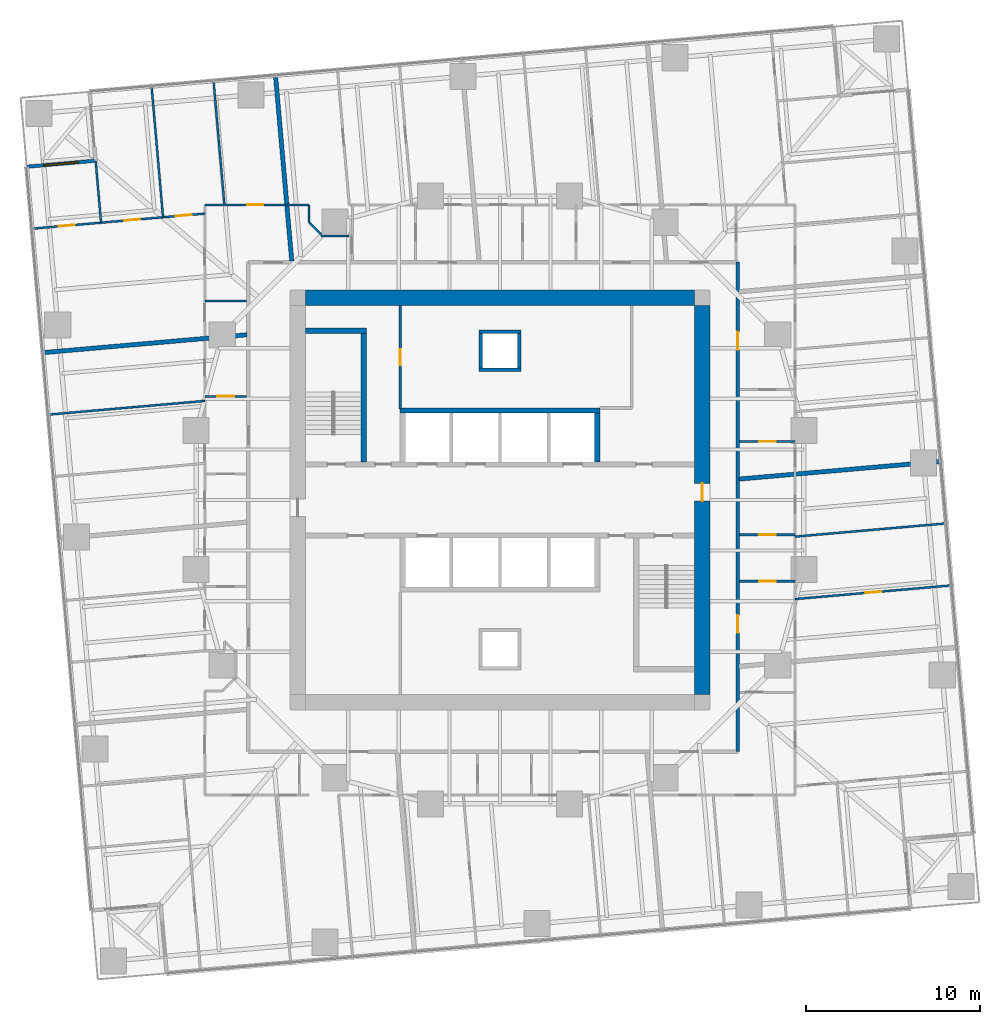
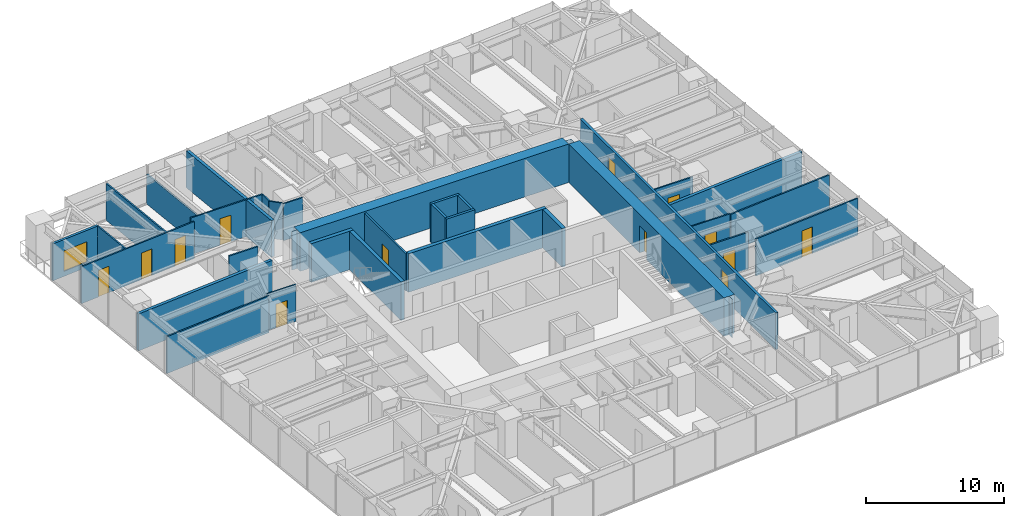
# One storey, part 11 of 14: 32 walls, 13 doors, 1 window, 14 openings.
"""IFC4 building model written with IfcOpenShell, lengths in metres."""

from ifc_helpers import new_model, si_unit, direction, frame, frame_2d, origin, place, context, subcontext, project, spatial, polyline, rectangle, outline, extrude, material, layer, layer_set, type_object, element, fill, save


model = new_model("IFC4")

# Units and contexts
model_context = context("Model", 3, precision=1e-05, world=origin(), true_north=direction((0.0, 1.0)))
body_context = subcontext(model_context, "Body", "Model", "MODEL_VIEW")
ifc_project = project(units=[si_unit("LENGTHUNIT", "METRE"), si_unit("AREAUNIT", "SQUARE_METRE"), si_unit("VOLUMEUNIT", "CUBIC_METRE"), si_unit("PLANEANGLEUNIT", "RADIAN"), si_unit("MASSUNIT", "GRAM", prefix="KILO")], contexts=[model_context])

# Site, building, storey
site_placement = place(None, origin())
site = spatial("IfcSite", under=ifc_project, at=site_placement, CompositionType="ELEMENT")
building_placement = place(site_placement, origin())
building = spatial("IfcBuilding", under=site, at=building_placement, Name="Torsade Residences", CompositionType="ELEMENT")
storey_placement = place(building_placement, frame((0.0, 0.0, 50.60009765625)))
storey = spatial("IfcBuildingStorey", under=building, at=storey_placement, Name="L13", CompositionType="ELEMENT", Elevation=50.60009765625)

# Walls
ifc_material_1 = material(Name="Concrete 80 MPa", Category="concrete")
ifc_layer_1 = layer(ifc_material_1, 0.300048828125)
ifc_layer_set_1 = layer_set([ifc_layer_1], Name="Concrete 80 MPa")
wall_type_1 = type_object("IfcWallType", Name="CORE INTERNAL WALL 300", PredefinedType="SHEAR", material=ifc_layer_set_1)
wall_1_placement = place(storey_placement, frame((34.25, 35.14990234375, 0.0), z_axis=(0.0, 0.0, 1.0), x_axis=(1.0, 0.0, 0.0)))
element("IfcWall", 1, at=wall_1_placement, inside=storey, type_object=wall_type_1, Name="Core wall BN L13", PredefinedType="SHEAR", context=body_context, shape_type="SweptSolid", body=[
    extrude(rectangle(XDim=11.5, YDim=0.300048828125, at=frame_2d((5.75, 0.0))), origin(), (0.0, 0.0, 1.0), 3.39990234375),
])
wall_2_placement = place(storey_placement, frame((45.60009765625, 32.199951171875, 0.0), z_axis=(0.0, 0.0, 1.0), x_axis=(0.0, 1.0, 0.0)))
element("IfcWall", 2, at=wall_2_placement, inside=storey, type_object=wall_type_1, Name="Core wall DN4 L13", PredefinedType="SHEAR", context=body_context, shape_type="SweptSolid", body=[
    extrude(rectangle(XDim=2.800048828125, YDim=0.300048828125, at=frame_2d((1.39990234375, 0.0))), origin(), (0.0, 0.0, 1.0), 3.39990234375),
])
wall_3_placement = place(storey_placement, frame((32.14990234375, 32.199951171875, 0.0), z_axis=(0.0, 0.0, 1.0), x_axis=(0.0, 1.0, 0.0)))
element("IfcWall", 3, at=wall_3_placement, inside=storey, type_object=wall_type_1, Name="Core wall ST1E L13", PredefinedType="SHEAR", context=body_context, shape_type="SweptSolid", body=[
    extrude(rectangle(XDim=7.699951171875, YDim=0.300048828125, at=frame_2d((3.85009765625, 0.0))), origin(), (0.0, 0.0, 1.0), 3.39990234375),
])
wall_4_placement = place(storey_placement, frame((28.800048828125, 39.75, 0.0), z_axis=(0.0, 0.0, 1.0), x_axis=(1.0, 0.0, 0.0)))
element("IfcWall", 4, at=wall_4_placement, inside=storey, type_object=wall_type_1, Name="Core wall ST1N L13", PredefinedType="SHEAR", context=body_context, shape_type="SweptSolid", body=[
    extrude(rectangle(XDim=3.5, YDim=0.300048828125, at=frame_2d((1.75, 0.0))), origin(), (0.0, 0.0, 1.0), 3.39990234375),
])
ifc_material_2 = material(Name="Concrete 80 MPa", Category="concrete")
ifc_layer_2 = layer(ifc_material_2, 0.89990234375)
ifc_layer_set_2 = layer_set([ifc_layer_2], Name="Concrete 80 MPa")
wall_type_2 = type_object("IfcWallType", Name="CORE WALL 900", PredefinedType="SHEAR", material=ifc_layer_set_2)
wall_5_placement = place(storey_placement, frame((28.800048828125, 41.64990234375, 0.0), z_axis=(0.0, 0.0, 1.0), x_axis=(1.0, 0.0, 0.0)))
element("IfcWall", 5, at=wall_5_placement, inside=storey, type_object=wall_type_2, Name="Core wall N L13", PredefinedType="SHEAR", context=body_context, shape_type="SweptSolid", body=[
    extrude(outline(polyline([(0.0, -0.449951171875), (22.39990234375, -0.449951171875), (22.39990234375, -0.02490234375), (22.849853515625, -0.02490234375), (22.849853515625, 0.02490234375), (22.39990234375, 0.02490234375), (22.39990234375, 0.449951171875), (0.0, 0.449951171875), (0.0, 0.02490234375), (-0.449951171875, 0.02490234375), (-0.449951171875, -0.02490234375), (0.0, -0.02490234375), (0.0, -0.449951171875)])), origin(), (0.0, 0.0, 1.0), 3.39990234375),
])

# Wall, opening, door
wall_6_placement = place(storey_placement, frame((51.64990234375, 18.800048828125, 0.0), z_axis=(0.0, 0.0, 1.0), x_axis=(0.0, 1.0, 0.0)))
wall_6 = element("IfcWall", 6, at=wall_6_placement, inside=storey, type_object=wall_type_2, Name="Core wall E L13", PredefinedType="SHEAR", context=body_context, shape_type="SweptSolid", body=[
    extrude(outline(polyline([(0.0, -0.449951171875), (22.39990234375, -0.449951171875), (22.39990234375, -0.02490234375), (22.849853515625, -0.02490234375), (22.849853515625, 0.02490234375), (22.39990234375, 0.02490234375), (22.39990234375, 0.449951171875), (0.0, 0.449951171875), (0.0, 0.02490234375), (-0.449951171875, 0.02490234375), (-0.449951171875, -0.02490234375), (0.0, -0.02490234375), (0.0, -0.449951171875)])), origin(), (0.0, 0.0, 1.0), 3.39990234375),
])
opening_1_placement = place(wall_6_placement, frame((11.139892578125, 0.0, 0.0)))
opening_1 = element("IfcOpeningElement", 7, at=opening_1_placement, cuts=wall_6, Name="Opening D04", PredefinedType="OPENING", context=body_context, shape_type="SweptSolid", body=[
    extrude(rectangle(XDim=1.02001953125, YDim=2.39990234375, at=frame_2d((0.510009765625, 1.199951171875))), frame((0.0, 0.4599609375, 0.0), z_axis=(0.0, -1.0, 0.0), x_axis=(1.0, 0.0, 0.0)), (0.0, 0.0, 1.0), 0.919921875),
])
ifc_material_3 = material(Name="Steel-framed fire door", Category="steel")
door_type_1 = type_object("IfcDoorType", Name="LOBBY SMOKE DOOR 1020x2400", OperationType="NOTDEFINED", PredefinedType="DOOR", material=ifc_material_3)
door_1_placement = place(opening_1_placement, origin())
door_1 = element("IfcDoor", 8, at=door_1_placement, inside=storey, type_object=door_type_1, Name="Lift lobby door E L13", OperationType="SINGLE_SWING_LEFT", OverallHeight=2.39990234375, OverallWidth=1.02001953125, PredefinedType="DOOR", context=body_context, shape_type="SweptSolid", body=[
    extrude(rectangle(XDim=1.02001953125, YDim=2.39990234375, at=frame_2d((0.510009765625, 1.199951171875))), frame((0.0, 0.02490234375, 0.0), z_axis=(0.0, -1.0, 0.0), x_axis=(1.0, 0.0, 0.0)), (0.0, 0.0, 1.0), 0.050048828125),
])
fill(opening_1, door_1)

# Wall, openings, doors
ifc_material_4 = material(Name="Plasterboard on steel stud", Category="steel")
ifc_layer_3 = layer(ifc_material_4, 0.199951171875)
ifc_layer_set_3 = layer_set([ifc_layer_3], Name="Plasterboard on steel stud")
wall_type_3 = type_object("IfcWallType", Name="CORRIDOR WALL 200", PredefinedType="PARTITIONING", material=ifc_layer_set_3)
wall_7_placement = place(storey_placement, frame((53.699951171875, 15.5, 0.0), z_axis=(0.0, 0.0, 1.0), x_axis=(0.0, 1.0, 0.0)))
wall_7 = element("IfcWall", 9, at=wall_7_placement, inside=storey, type_object=wall_type_3, Name="Corridor wall L13", PredefinedType="PARTITIONING", context=body_context, shape_type="SweptSolid", body=[
    extrude(rectangle(XDim=28.199951171875, YDim=0.199951171875, at=frame_2d((14.10009765625, 0.0))), origin(), (0.0, 0.0, 1.0), 3.25),
])
opening_2_placement = place(wall_7_placement, frame((23.1611328125, 0.0, 0.0)))
opening_2 = element("IfcOpeningElement", 10, at=opening_2_placement, cuts=wall_7, Name="Opening D01", PredefinedType="OPENING", context=body_context, shape_type="SweptSolid", body=[
    extrude(rectangle(XDim=1.02001953125, YDim=2.340087890625, at=frame_2d((0.510009765625, 1.169921875))), frame((0.0, 0.10986328125, 0.0), z_axis=(0.0, -1.0, 0.0), x_axis=(1.0, 0.0, 0.0)), (0.0, 0.0, 1.0), 0.219970703125),
])
opening_3_placement = place(wall_7_placement, frame((6.849609375, 0.0, 0.0)))
opening_3 = element("IfcOpeningElement", 11, at=opening_3_placement, cuts=wall_7, Name="Opening D01", PredefinedType="OPENING", context=body_context, shape_type="SweptSolid", body=[
    extrude(rectangle(XDim=1.02001953125, YDim=2.340087890625, at=frame_2d((0.510009765625, 1.169921875))), frame((0.0, 0.10986328125, 0.0), z_axis=(0.0, -1.0, 0.0), x_axis=(1.0, 0.0, 0.0)), (0.0, 0.0, 1.0), 0.219970703125),
])
ifc_material_5 = material(Name="Solid-core timber fire door", Category="wood")
door_type_2 = type_object("IfcDoorType", Name="APARTMENT ENTRY DOOR 1020x2340", OperationType="NOTDEFINED", PredefinedType="DOOR", material=ifc_material_5)
door_2_placement = place(opening_2_placement, origin())
door_2 = element("IfcDoor", 12, at=door_2_placement, inside=storey, type_object=door_type_2, Name="Door Residential corridor to Kitchen and dining", OperationType="SINGLE_SWING_LEFT", OverallHeight=2.340087890625, OverallWidth=1.02001953125, PredefinedType="DOOR", context=body_context, shape_type="SweptSolid", body=[
    extrude(rectangle(XDim=1.02001953125, YDim=2.340087890625, at=frame_2d((0.510009765625, 1.169921875))), frame((0.0, 0.02490234375, 0.0), z_axis=(0.0, -1.0, 0.0), x_axis=(1.0, 0.0, 0.0)), (0.0, 0.0, 1.0), 0.050048828125),
])
fill(opening_2, door_2)
door_3_placement = place(opening_3_placement, origin())
door_3 = element("IfcDoor", 13, at=door_3_placement, inside=storey, type_object=door_type_2, Name="Door Residential corridor to Kitchen and dining", OperationType="SINGLE_SWING_RIGHT", OverallHeight=2.340087890625, OverallWidth=1.02001953125, PredefinedType="DOOR", context=body_context, shape_type="SweptSolid", body=[
    extrude(rectangle(XDim=1.02001953125, YDim=2.340087890625, at=frame_2d((0.510009765625, 1.169921875))), frame((0.0, 0.02490234375, 0.0), z_axis=(0.0, -1.0, 0.0), x_axis=(1.0, 0.0, 0.0)), (0.0, 0.0, 1.0), 0.050048828125),
])
fill(opening_3, door_3)

# Wall, opening, door
ifc_material_6 = material(Name="Plasterboard on steel stud", Category="steel")
ifc_layer_4 = layer(ifc_material_6, 0.1201171875)
ifc_layer_set_4 = layer_set([ifc_layer_4], Name="Plasterboard on steel stud")
wall_type_4 = type_object("IfcWallType", Name="PARTITION 120", PredefinedType="PARTITIONING", material=ifc_layer_set_4)
wall_8_placement = place(storey_placement, frame((53.800048828125, 25.321533203125, 0.0), z_axis=(0.0, 0.0, 1.0), x_axis=(1.0, 0.0, 0.0)))
wall_8 = element("IfcWall", 14, at=wall_8_placement, inside=storey, type_object=wall_type_4, Name="Partition L13", PredefinedType="PARTITIONING", context=body_context, shape_type="SweptSolid", body=[
    extrude(rectangle(XDim=3.199951171875, YDim=0.1201171875, at=frame_2d((1.60009765625, 0.0))), origin(), (0.0, 0.0, 1.0), 3.25),
])
opening_4_placement = place(wall_8_placement, frame((1.1201171875, 0.0, 0.0)))
opening_4 = element("IfcOpeningElement", 15, at=opening_4_placement, cuts=wall_8, Name="Opening D05", PredefinedType="OPENING", context=body_context, shape_type="SweptSolid", body=[
    extrude(rectangle(XDim=0.9599609375, YDim=2.10009765625, at=frame_2d((0.47998046875, 1.050048828125))), frame((0.0, 0.070068359375, 0.0), z_axis=(0.0, -1.0, 0.0), x_axis=(1.0, 0.0, 0.0)), (0.0, 0.0, 1.0), 0.14013671875),
])
ifc_material_7 = material(Name="Hollow-core timber door in a steel cavity frame", Category="steel")
door_type_3 = type_object("IfcDoorType", Name="BATHROOM CAVITY SLIDING DOOR 960", OperationType="SLIDING_TO_LEFT", PredefinedType="DOOR", material=ifc_material_7)
door_4_placement = place(opening_4_placement, origin())
door_4 = element("IfcDoor", 16, at=door_4_placement, inside=storey, type_object=door_type_3, Name="Door Kitchen and dining to Ensuite", OperationType="SLIDING_TO_LEFT", OverallHeight=2.10009765625, OverallWidth=0.9599609375, PredefinedType="DOOR", context=body_context, shape_type="SweptSolid", body=[
    extrude(rectangle(XDim=0.9599609375, YDim=2.10009765625, at=frame_2d((0.47998046875, 1.050048828125))), frame((0.0, 0.02490234375, 0.0), z_axis=(0.0, -1.0, 0.0), x_axis=(1.0, 0.0, 0.0)), (0.0, 0.0, 1.0), 0.050048828125),
])
fill(opening_4, door_4)

wall_9_placement = place(storey_placement, frame((57.0, 27.996826171875, 0.0), z_axis=(0.0, 0.0, 1.0), x_axis=(-1.0, 0.0, 0.0)))
wall_9 = element("IfcWall", 17, at=wall_9_placement, inside=storey, type_object=wall_type_4, Name="Partition L13", PredefinedType="PARTITIONING", context=body_context, shape_type="SweptSolid", body=[
    extrude(rectangle(XDim=3.199951171875, YDim=0.1201171875, at=frame_2d((1.60009765625, 0.0))), origin(), (0.0, 0.0, 1.0), 3.25),
])
opening_5_placement = place(wall_9_placement, frame((1.1201171875, 0.0, 0.0)))
opening_5 = element("IfcOpeningElement", 18, at=opening_5_placement, cuts=wall_9, Name="Opening D05", PredefinedType="OPENING", context=body_context, shape_type="SweptSolid", body=[
    extrude(rectangle(XDim=0.9599609375, YDim=2.10009765625, at=frame_2d((0.47998046875, 1.050048828125))), frame((0.0, 0.070068359375, 0.0), z_axis=(0.0, -1.0, 0.0), x_axis=(1.0, 0.0, 0.0)), (0.0, 0.0, 1.0), 0.14013671875),
])
door_5_placement = place(opening_5_placement, origin())
door_5 = element("IfcDoor", 19, at=door_5_placement, inside=storey, type_object=door_type_3, Name="Door Ensuite to Bathroom", OperationType="SLIDING_TO_LEFT", OverallHeight=2.10009765625, OverallWidth=0.9599609375, PredefinedType="DOOR", context=body_context, shape_type="SweptSolid", body=[
    extrude(rectangle(XDim=0.9599609375, YDim=2.10009765625, at=frame_2d((0.47998046875, 1.050048828125))), frame((0.0, 0.02490234375, 0.0), z_axis=(0.0, -1.0, 0.0), x_axis=(1.0, 0.0, 0.0)), (0.0, 0.0, 1.0), 0.050048828125),
])
fill(opening_5, door_5)

wall_10_placement = place(storey_placement, frame((57.0, 24.293212890625, 0.0), z_axis=(0.0, 0.0, 1.0), x_axis=(0.996194246178, 0.087160907995, 0.0)))
wall_10 = element("IfcWall", 20, at=wall_10_placement, inside=storey, type_object=wall_type_4, Name="Partition L13", PredefinedType="PARTITIONING", context=body_context, shape_type="SweptSolid", body=[
    extrude(rectangle(XDim=9.022216796875, YDim=0.1201171875, at=frame_2d((4.51123046875, 0.0))), origin(), (0.0, 0.0, 1.0), 3.25),
])
opening_6_placement = place(wall_10_placement, frame((4.071044921875, 0.0, 0.0)))
opening_6 = element("IfcOpeningElement", 21, at=opening_6_placement, cuts=wall_10, Name="Opening D02", PredefinedType="OPENING", context=body_context, shape_type="SweptSolid", body=[
    extrude(rectangle(XDim=0.919921875, YDim=2.340087890625, at=frame_2d((0.4599609375, 1.169921875))), frame((0.0, 0.070068359375, 0.0), z_axis=(0.0, -1.0, 0.0), x_axis=(1.0, 0.0, 0.0)), (0.0, 0.0, 1.0), 0.14013671875),
])
ifc_material_8 = material(Name="Hollow-core timber door", Category="wood")
door_type_4 = type_object("IfcDoorType", Name="INTERNAL DOOR 920x2340", OperationType="NOTDEFINED", PredefinedType="DOOR", material=ifc_material_8)
door_6_placement = place(opening_6_placement, origin())
door_6 = element("IfcDoor", 22, at=door_6_placement, inside=storey, type_object=door_type_4, Name="Door Living room to Bedroom 1", OperationType="SINGLE_SWING_RIGHT", OverallHeight=2.340087890625, OverallWidth=0.919921875, PredefinedType="DOOR", context=body_context, shape_type="SweptSolid", body=[
    extrude(rectangle(XDim=0.919921875, YDim=2.340087890625, at=frame_2d((0.4599609375, 1.169921875))), frame((0.0, 0.02490234375, 0.0), z_axis=(0.0, -1.0, 0.0), x_axis=(1.0, 0.0, 0.0)), (0.0, 0.0, 1.0), 0.050048828125),
])
fill(opening_6, door_6)

# Wall
wall_11_placement = place(storey_placement, frame((57.0, 27.890380859375, 0.0), z_axis=(0.0, 0.0, 1.0), x_axis=(0.996194478193, 0.087158256162, 0.0)))
element("IfcWall", 23, at=wall_11_placement, inside=storey, type_object=wall_type_4, Name="Partition L13", PredefinedType="PARTITIONING", context=body_context, shape_type="SweptSolid", body=[
    extrude(rectangle(XDim=8.708740234375, YDim=0.1201171875, at=frame_2d((4.3544921875, 0.0))), origin(), (0.0, 0.0, 1.0), 3.25),
])

# Wall, opening, door
wall_12_placement = place(storey_placement, frame((57.0, 33.366943359375, 0.0), z_axis=(0.0, 0.0, 1.0), x_axis=(-1.0, 0.0, 0.0)))
wall_12 = element("IfcWall", 24, at=wall_12_placement, inside=storey, type_object=wall_type_4, Name="Partition L13", PredefinedType="PARTITIONING", context=body_context, shape_type="SweptSolid", body=[
    extrude(rectangle(XDim=3.199951171875, YDim=0.1201171875, at=frame_2d((1.60009765625, 0.0))), origin(), (0.0, 0.0, 1.0), 3.25),
])
opening_7_placement = place(wall_12_placement, frame((1.1201171875, 0.0, 0.0)))
opening_7 = element("IfcOpeningElement", 25, at=opening_7_placement, cuts=wall_12, Name="Opening D05", PredefinedType="OPENING", context=body_context, shape_type="SweptSolid", body=[
    extrude(rectangle(XDim=0.9599609375, YDim=2.10009765625, at=frame_2d((0.47998046875, 1.050048828125))), frame((0.0, 0.070068359375, 0.0), z_axis=(0.0, -1.0, 0.0), x_axis=(1.0, 0.0, 0.0)), (0.0, 0.0, 1.0), 0.14013671875),
])
door_7_placement = place(opening_7_placement, origin())
door_7 = element("IfcDoor", 26, at=door_7_placement, inside=storey, type_object=door_type_3, Name="Door Bathroom to Ensuite", OperationType="SLIDING_TO_LEFT", OverallHeight=2.10009765625, OverallWidth=0.9599609375, PredefinedType="DOOR", context=body_context, shape_type="SweptSolid", body=[
    extrude(rectangle(XDim=0.9599609375, YDim=2.10009765625, at=frame_2d((0.47998046875, 1.050048828125))), frame((0.0, 0.02490234375, 0.0), z_axis=(0.0, -1.0, 0.0), x_axis=(1.0, 0.0, 0.0)), (0.0, 0.0, 1.0), 0.050048828125),
])
fill(opening_7, door_7)

wall_13_placement = place(storey_placement, frame((23.0, 47.0, 0.0), z_axis=(0.0, 0.0, 1.0), x_axis=(1.0, 0.0, 0.0)))
wall_13 = element("IfcWall", 27, at=wall_13_placement, inside=storey, type_object=wall_type_4, Name="Partition L13", PredefinedType="PARTITIONING", context=body_context, shape_type="SweptSolid", body=[
    extrude(rectangle(XDim=6.0, YDim=0.1201171875, at=frame_2d((3.0, 0.0))), origin(), (0.0, 0.0, 1.0), 3.25),
])
opening_8_placement = place(wall_13_placement, frame((2.43798828125, 0.0, 0.0)))
opening_8 = element("IfcOpeningElement", 28, at=opening_8_placement, cuts=wall_13, Name="Opening D02", PredefinedType="OPENING", context=body_context, shape_type="SweptSolid", body=[
    extrude(rectangle(XDim=0.919921875, YDim=2.340087890625, at=frame_2d((0.4599609375, 1.169921875))), frame((0.0, 0.070068359375, 0.0), z_axis=(0.0, -1.0, 0.0), x_axis=(1.0, 0.0, 0.0)), (0.0, 0.0, 1.0), 0.14013671875),
])
door_8_placement = place(opening_8_placement, origin())
door_8 = element("IfcDoor", 29, at=door_8_placement, inside=storey, type_object=door_type_4, Name="Door Kitchen and dining to Study", OperationType="SINGLE_SWING_LEFT", OverallHeight=2.340087890625, OverallWidth=0.919921875, PredefinedType="DOOR", context=body_context, shape_type="SweptSolid", body=[
    extrude(rectangle(XDim=0.919921875, YDim=2.340087890625, at=frame_2d((0.4599609375, 1.169921875))), frame((0.0, 0.02490234375, 0.0), z_axis=(0.0, -1.0, 0.0), x_axis=(1.0, 0.0, 0.0)), (0.0, 0.0, 1.0), 0.050048828125),
])
fill(opening_8, door_8)

# Walls
wall_14_placement = place(storey_placement, frame((29.0, 47.0, 0.0), z_axis=(0.0, 0.0, 1.0), x_axis=(0.0, -1.0, 0.0)))
element("IfcWall", 30, at=wall_14_placement, inside=storey, type_object=wall_type_4, Name="Partition L13", PredefinedType="PARTITIONING", context=body_context, shape_type="SweptSolid", body=[
    extrude(rectangle(XDim=1.0, YDim=0.1201171875, at=frame_2d((0.5, 0.0))), origin(), (0.0, 0.0, 1.0), 3.25),
])
wall_15_placement = place(storey_placement, frame((29.0, 46.0, 0.0), z_axis=(0.0, 0.0, 1.0), x_axis=(0.707106781187, -0.707106781187, 0.0)))
element("IfcWall", 31, at=wall_15_placement, inside=storey, type_object=wall_type_4, Name="Partition L13", PredefinedType="PARTITIONING", context=body_context, shape_type="SweptSolid", body=[
    extrude(rectangle(XDim=0.989990234375, YDim=0.1201171875, at=frame_2d((0.4951171875, 0.0))), origin(), (0.0, 0.0, 1.0), 3.25),
])
wall_16_placement = place(storey_placement, frame((29.699951171875, 45.199951171875, 0.0), z_axis=(0.0, 0.0, 1.0), x_axis=(1.0, 0.0, 0.0)))
element("IfcWall", 32, at=wall_16_placement, inside=storey, type_object=wall_type_4, Name="Partition L13", PredefinedType="PARTITIONING", context=body_context, shape_type="SweptSolid", body=[
    extrude(rectangle(XDim=1.60009765625, YDim=0.1201171875, at=frame_2d((0.800048828125, 0.0))), origin(), (0.0, 0.0, 1.0), 3.25),
])
wall_17_placement = place(storey_placement, frame((25.39990234375, 41.474853515625, 0.0), z_axis=(0.0, 0.0, 1.0), x_axis=(-1.0, 0.0, 0.0)))
element("IfcWall", 33, at=wall_17_placement, inside=storey, type_object=wall_type_4, Name="Partition L13", PredefinedType="PARTITIONING", context=body_context, shape_type="SweptSolid", body=[
    extrude(rectangle(XDim=2.39990234375, YDim=0.1201171875, at=frame_2d((1.199951171875, 0.0))), origin(), (0.0, 0.0, 1.0), 3.25),
])

# Wall, openings, doors
wall_18_placement = place(storey_placement, frame((13.075439453125, 45.62939453125, 0.0), z_axis=(0.0, 0.0, 1.0), x_axis=(0.996193637696, 0.087167862274, 0.0)))
wall_18 = element("IfcWall", 34, at=wall_18_placement, inside=storey, type_object=wall_type_4, Name="Partition L13", PredefinedType="PARTITIONING", context=body_context, shape_type="SweptSolid", body=[
    extrude(rectangle(XDim=9.96240234375, YDim=0.1201171875, at=frame_2d((4.981201171875, 0.0))), origin(), (0.0, 0.0, 1.0), 3.25),
])
opening_9_placement = place(wall_18_placement, frame((1.525146484375, 0.0, 0.0)))
opening_9 = element("IfcOpeningElement", 35, at=opening_9_placement, cuts=wall_18, Name="Opening D02", PredefinedType="OPENING", context=body_context, shape_type="SweptSolid", body=[
    extrude(rectangle(XDim=0.919921875, YDim=2.340087890625, at=frame_2d((0.4599609375, 1.169921875))), frame((0.0, 0.070068359375, 0.0), z_axis=(0.0, -1.0, 0.0), x_axis=(1.0, 0.0, 0.0)), (0.0, 0.0, 1.0), 0.14013671875),
])
opening_10_placement = place(wall_18_placement, frame((5.291748046875, 0.0, 0.0)))
opening_10 = element("IfcOpeningElement", 36, at=opening_10_placement, cuts=wall_18, Name="Opening D02", PredefinedType="OPENING", context=body_context, shape_type="SweptSolid", body=[
    extrude(rectangle(XDim=0.919921875, YDim=2.340087890625, at=frame_2d((0.4599609375, 1.169921875))), frame((0.0, 0.070068359375, 0.0), z_axis=(0.0, -1.0, 0.0), x_axis=(1.0, 0.0, 0.0)), (0.0, 0.0, 1.0), 0.14013671875),
])
opening_11_placement = place(wall_18_placement, frame((8.267822265625, 0.0, 0.0)))
opening_11 = element("IfcOpeningElement", 37, at=opening_11_placement, cuts=wall_18, Name="Opening D02", PredefinedType="OPENING", context=body_context, shape_type="SweptSolid", body=[
    extrude(rectangle(XDim=0.919921875, YDim=2.340087890625, at=frame_2d((0.4599609375, 1.169921875))), frame((0.0, 0.070068359375, 0.0), z_axis=(0.0, -1.0, 0.0), x_axis=(1.0, 0.0, 0.0)), (0.0, 0.0, 1.0), 0.14013671875),
])
door_9_placement = place(opening_9_placement, origin())
door_9 = element("IfcDoor", 38, at=door_9_placement, inside=storey, type_object=door_type_4, Name="Door Living room to Family room", OperationType="SINGLE_SWING_RIGHT", OverallHeight=2.340087890625, OverallWidth=0.919921875, PredefinedType="DOOR", context=body_context, shape_type="SweptSolid", body=[
    extrude(rectangle(XDim=0.919921875, YDim=2.340087890625, at=frame_2d((0.4599609375, 1.169921875))), frame((0.0, 0.02490234375, 0.0), z_axis=(0.0, -1.0, 0.0), x_axis=(1.0, 0.0, 0.0)), (0.0, 0.0, 1.0), 0.050048828125),
])
fill(opening_9, door_9)
door_10_placement = place(opening_10_placement, origin())
door_10 = element("IfcDoor", 39, at=door_10_placement, inside=storey, type_object=door_type_4, Name="Door Living room to Bedroom 1", OperationType="SINGLE_SWING_RIGHT", OverallHeight=2.340087890625, OverallWidth=0.919921875, PredefinedType="DOOR", context=body_context, shape_type="SweptSolid", body=[
    extrude(rectangle(XDim=0.919921875, YDim=2.340087890625, at=frame_2d((0.4599609375, 1.169921875))), frame((0.0, 0.02490234375, 0.0), z_axis=(0.0, -1.0, 0.0), x_axis=(1.0, 0.0, 0.0)), (0.0, 0.0, 1.0), 0.050048828125),
])
fill(opening_10, door_10)
door_11_placement = place(opening_11_placement, origin())
door_11 = element("IfcDoor", 40, at=door_11_placement, inside=storey, type_object=door_type_4, Name="Door Living room to Bedroom 2", OperationType="SINGLE_SWING_LEFT", OverallHeight=2.340087890625, OverallWidth=0.919921875, PredefinedType="DOOR", context=body_context, shape_type="SweptSolid", body=[
    extrude(rectangle(XDim=0.919921875, YDim=2.340087890625, at=frame_2d((0.4599609375, 1.169921875))), frame((0.0, 0.02490234375, 0.0), z_axis=(0.0, -1.0, 0.0), x_axis=(1.0, 0.0, 0.0)), (0.0, 0.0, 1.0), 0.050048828125),
])
fill(opening_11, door_11)

# Walls
wall_19_placement = place(storey_placement, frame((19.9326171875, 53.801513671875, 0.0), z_axis=(0.0, 0.0, 1.0), x_axis=(0.087161730761, -0.99619417419, 0.0)))
element("IfcWall", 41, at=wall_19_placement, inside=storey, type_object=wall_type_4, Name="Partition L13", PredefinedType="PARTITIONING", context=body_context, shape_type="SweptSolid", body=[
    extrude(rectangle(XDim=7.543212890625, YDim=0.1201171875, at=frame_2d((3.771484375, 0.0))), origin(), (0.0, 0.0, 1.0), 3.25),
])
wall_20_placement = place(storey_placement, frame((17.020263671875, 45.974609375, 0.0), z_axis=(0.0, 0.0, 1.0), x_axis=(-0.087161821847, 0.996194166221, 0.0)))
element("IfcWall", 42, at=wall_20_placement, inside=storey, type_object=wall_type_4, Name="Partition L13", PredefinedType="PARTITIONING", context=body_context, shape_type="SweptSolid", body=[
    extrude(rectangle(XDim=3.543212890625, YDim=0.1201171875, at=frame_2d((1.771484375, 0.0))), origin(), (0.0, 0.0, 1.0), 3.25),
])
wall_21_placement = place(storey_placement, frame((23.502197265625, 54.11376953125, 0.0), z_axis=(0.0, 0.0, 1.0), x_axis=(0.087147441029, -0.996195424363, 0.0)))
element("IfcWall", 43, at=wall_21_placement, inside=storey, type_object=wall_type_4, Name="Partition L13", PredefinedType="PARTITIONING", context=body_context, shape_type="SweptSolid", body=[
    extrude(rectangle(XDim=7.140869140625, YDim=0.1201171875, at=frame_2d((3.5703125, 0.0))), origin(), (0.0, 0.0, 1.0), 2.637939453125),
])

# Wall, opening, door
wall_22_placement = place(storey_placement, frame((23.0, 35.966064453125, 0.0), z_axis=(0.0, 0.0, 1.0), x_axis=(1.0, 0.0, 0.0)))
wall_22 = element("IfcWall", 44, at=wall_22_placement, inside=storey, type_object=wall_type_4, Name="Partition L13", PredefinedType="PARTITIONING", context=body_context, shape_type="SweptSolid", body=[
    extrude(rectangle(XDim=2.39990234375, YDim=0.1201171875, at=frame_2d((1.199951171875, 0.0))), origin(), (0.0, 0.0, 1.0), 3.25),
])
opening_12_placement = place(wall_22_placement, frame((0.719970703125, 0.0, 0.0)))
opening_12 = element("IfcOpeningElement", 45, at=opening_12_placement, cuts=wall_22, Name="Opening D05", PredefinedType="OPENING", context=body_context, shape_type="SweptSolid", body=[
    extrude(rectangle(XDim=0.9599609375, YDim=2.10009765625, at=frame_2d((0.47998046875, 1.050048828125))), frame((0.0, 0.070068359375, 0.0), z_axis=(0.0, -1.0, 0.0), x_axis=(1.0, 0.0, 0.0)), (0.0, 0.0, 1.0), 0.14013671875),
])
door_12_placement = place(opening_12_placement, origin())
door_12 = element("IfcDoor", 46, at=door_12_placement, inside=storey, type_object=door_type_3, Name="Door Kitchen and dining to Bathroom", OperationType="SLIDING_TO_LEFT", OverallHeight=2.10009765625, OverallWidth=0.9599609375, PredefinedType="DOOR", context=body_context, shape_type="SweptSolid", body=[
    extrude(rectangle(XDim=0.9599609375, YDim=2.10009765625, at=frame_2d((0.47998046875, 1.050048828125))), frame((0.0, 0.02490234375, 0.0), z_axis=(0.0, -1.0, 0.0), x_axis=(1.0, 0.0, 0.0)), (0.0, 0.0, 1.0), 0.050048828125),
])
fill(opening_12, door_12)

# Walls
wall_23_placement = place(storey_placement, frame((23.0, 35.706787109375, 0.0), z_axis=(0.0, 0.0, 1.0), x_axis=(-0.996194246178, -0.087160907995, 0.0)))
element("IfcWall", 47, at=wall_23_placement, inside=storey, type_object=wall_type_4, Name="Partition L13", PredefinedType="PARTITIONING", context=body_context, shape_type="SweptSolid", body=[
    extrude(rectangle(XDim=9.022216796875, YDim=0.1201171875, at=frame_2d((4.51123046875, 0.0))), origin(), (0.0, 0.0, 1.0), 3.25),
])
ifc_material_9 = material(Name="Masonry-lined stud party wall", Category="masonry")
ifc_layer_5 = layer(ifc_material_9, 0.25)
ifc_layer_set_5 = layer_set([ifc_layer_5], Name="Masonry-lined stud party wall")
wall_type_5 = type_object("IfcWallType", Name="PARTY WALL 250", PredefinedType="PARTITIONING", material=ifc_layer_set_5)
wall_24_placement = place(storey_placement, frame((13.66015625, 38.486572265625, 0.0), z_axis=(0.0, 0.0, 1.0), x_axis=(0.996193605338, 0.087168232078, 0.0)))
element("IfcWall", 48, at=wall_24_placement, inside=storey, type_object=wall_type_5, Name="Party wall L13", PredefinedType="PARTITIONING", context=body_context, shape_type="SweptSolid", body=[
    extrude(rectangle(XDim=11.813720703125, YDim=0.25, at=frame_2d((5.90673828125, 0.0))), origin(), (0.0, 0.0, 1.0), 3.25),
])
wall_25_placement = place(storey_placement, frame((65.403076171875, 32.222412109375, 0.0), z_axis=(0.0, 0.0, 1.0), x_axis=(-0.996195419442, -0.087147497287, 0.0)))
element("IfcWall", 49, at=wall_25_placement, inside=storey, type_object=wall_type_5, Name="Party wall L13", PredefinedType="PARTITIONING", context=body_context, shape_type="SweptSolid", body=[
    extrude(rectangle(XDim=11.676513671875, YDim=0.25, at=frame_2d((5.83837890625, 0.0))), origin(), (0.0, 0.0, 1.0), 3.25),
])
wall_26_placement = place(storey_placement, frame((27.068359375, 54.466064453125, 0.0), z_axis=(0.0, 0.0, 1.0), x_axis=(0.08716441141, -0.996193939644, 0.0)))
element("IfcWall", 50, at=wall_26_placement, inside=storey, type_object=wall_type_5, Name="Party wall L13", PredefinedType="PARTITIONING", context=body_context, shape_type="SweptSolid", body=[
    extrude(rectangle(XDim=10.73583984375, YDim=0.25, at=frame_2d((5.367919921875, 0.0))), origin(), (0.0, 0.0, 1.0), 3.25),
])
ifc_material_10 = material(Name="Reinforced blockwork", Category="masonry")
ifc_layer_6 = layer(ifc_material_10, 0.199951171875)
ifc_layer_set_6 = layer_set([ifc_layer_6], Name="Reinforced blockwork")
wall_type_6 = type_object("IfcWallType", Name="RISER SHAFT WALL 200", PredefinedType="SOLIDWALL", material=ifc_layer_set_6)
for number, where, z_axis, x_axis, name in (
    (51, (38.89990234375, 37.60009765625, 0.0), (0.0, 0.0, 1.0), (0.0, 1.0, 0.0), "Core wall RS1a L13"),
    (52, (41.10009765625, 37.60009765625, 0.0), (0.0, 0.0, 1.0), (0.0, 1.0, 0.0), "Core wall RS1b L13"),
):
    element("IfcWall", number, at=place(storey_placement, frame(where, z_axis=z_axis, x_axis=x_axis)), inside=storey, type_object=wall_type_6, Name=name, PredefinedType="SOLIDWALL", context=body_context, shape_type="SweptSolid", body=[
        extrude(rectangle(XDim=2.0, YDim=0.199951171875, at=frame_2d((1.0, 0.0))), origin(), (0.0, 0.0, 1.0), 3.39990234375),
    ])
for number, where, z_axis, x_axis, name in (
    (53, (38.800048828125, 37.5, 0.0), (0.0, 0.0, 1.0), (1.0, 0.0, 0.0), "Core wall RS1c L13"),
    (54, (38.800048828125, 39.699951171875, 0.0), (0.0, 0.0, 1.0), (1.0, 0.0, 0.0), "Core wall RS1d L13"),
):
    element("IfcWall", number, at=place(storey_placement, frame(where, z_axis=z_axis, x_axis=x_axis)), inside=storey, type_object=wall_type_6, Name=name, PredefinedType="SOLIDWALL", context=body_context, shape_type="SweptSolid", body=[
        extrude(rectangle(XDim=2.39990234375, YDim=0.199951171875, at=frame_2d((1.199951171875, 0.0))), origin(), (0.0, 0.0, 1.0), 3.39990234375),
    ])

# Wall, opening, door
ifc_material_11 = material(Name="Reinforced blockwork", Category="masonry")
ifc_layer_7 = layer(ifc_material_11, 0.14990234375)
ifc_layer_set_7 = layer_set([ifc_layer_7], Name="Reinforced blockwork")
wall_type_7 = type_object("IfcWallType", Name="SERVICE ROOM WALL 150", PredefinedType="SOLIDWALL", material=ifc_layer_set_7)
wall_27_placement = place(storey_placement, frame((34.25, 41.199951171875, 0.0), z_axis=(0.0, 0.0, 1.0), x_axis=(0.0, -1.0, 0.0)))
wall_27 = element("IfcWall", 55, at=wall_27_placement, inside=storey, type_object=wall_type_7, Name="Service room wall L13", PredefinedType="SOLIDWALL", context=body_context, shape_type="SweptSolid", body=[
    extrude(rectangle(XDim=5.949951171875, YDim=0.14990234375, at=frame_2d((2.97509765625, 0.0))), origin(), (0.0, 0.0, 1.0), 3.25),
])
opening_13_placement = place(wall_27_placement, frame((2.514892578125, 0.0, 0.0)))
opening_13 = element("IfcOpeningElement", 56, at=opening_13_placement, cuts=wall_27, Name="Opening D06", PredefinedType="OPENING", context=body_context, shape_type="SweptSolid", body=[
    extrude(rectangle(XDim=0.919921875, YDim=2.10009765625, at=frame_2d((0.4599609375, 1.050048828125))), frame((0.0, 0.0849609375, 0.0), z_axis=(0.0, -1.0, 0.0), x_axis=(1.0, 0.0, 0.0)), (0.0, 0.0, 1.0), 0.169921875),
])
ifc_material_12 = material(Name="Steel-framed fire door", Category="steel")
door_type_5 = type_object("IfcDoorType", Name="FIRE DOOR 920", OperationType="NOTDEFINED", PredefinedType="DOOR", material=ifc_material_12)
door_13_placement = place(opening_13_placement, origin())
door_13 = element("IfcDoor", 57, at=door_13_placement, inside=storey, type_object=door_type_5, Name="Door Meter store to Electrical riser room", OperationType="SINGLE_SWING_RIGHT", OverallHeight=2.10009765625, OverallWidth=0.919921875, PredefinedType="DOOR", context=body_context, shape_type="SweptSolid", body=[
    extrude(rectangle(XDim=0.919921875, YDim=2.10009765625, at=frame_2d((0.4599609375, 1.050048828125))), frame((0.0, 0.02490234375, 0.0), z_axis=(0.0, -1.0, 0.0), x_axis=(1.0, 0.0, 0.0)), (0.0, 0.0, 1.0), 0.050048828125),
])
fill(opening_13, door_13)

# Wall, opening, window
ifc_material_13 = material(Name="Stone-faced precast concrete 40 MPa panel", Category="masonry")
ifc_layer_8 = layer(ifc_material_13, 0.199951171875)
ifc_layer_set_8 = layer_set([ifc_layer_8], Name="Stone-faced precast concrete 40 MPa panel")
wall_type_8 = type_object("IfcWallType", Name="TERRACE WALL 200", PredefinedType="SOLIDWALL", material=ifc_layer_set_8)
wall_28_placement = place(storey_placement, frame((16.7080078125, 49.54443359375, 0.0), z_axis=(0.0, 0.0, 1.0), x_axis=(-0.99619464492, -0.087156350505, 0.0)))
wall_28 = element("IfcWall", 58, at=wall_28_placement, inside=storey, type_object=wall_type_8, Name="Terrace wall L13 9", PredefinedType="SOLIDWALL", context=body_context, shape_type="SweptSolid", body=[
    extrude(rectangle(XDim=4.0, YDim=0.199951171875, at=frame_2d((2.0, 0.0))), origin(), (0.0, 0.0, 1.0), 3.25),
])
opening_14_placement = place(wall_28_placement, frame((1.0, 0.0, 0.449951171875)))
opening_14 = element("IfcOpeningElement", 59, at=opening_14_placement, cuts=wall_28, Name="Opening W1B", PredefinedType="OPENING", context=body_context, shape_type="SweptSolid", body=[
    extrude(rectangle(XDim=2.0, YDim=1.800048828125, at=frame_2d((1.0, 0.89990234375))), frame((0.0, 0.10986328125, 0.0), z_axis=(0.0, -1.0, 0.0), x_axis=(1.0, 0.0, 0.0)), (0.0, 0.0, 1.0), 0.219970703125),
])
ifc_material_14 = material(Name="Aluminium-framed glass window", Category="aluminium")
window_type = type_object("IfcWindowType", Name="TERRACE WINDOW 2000x1800", PartitioningType="SINGLE_PANEL", PredefinedType="WINDOW", material=ifc_material_14)
window_placement = place(opening_14_placement, origin())
window = element("IfcWindow", 60, at=window_placement, inside=storey, type_object=window_type, Name="Terrace window L13 9", OverallHeight=1.800048828125, OverallWidth=2.0, PartitioningType="SINGLE_PANEL", PredefinedType="WINDOW", context=body_context, shape_type="SweptSolid", body=[
    extrude(rectangle(XDim=2.0, YDim=1.800048828125, at=frame_2d((1.0, 0.89990234375))), frame((0.0, 0.030029296875, 0.0), z_axis=(0.0, -1.0, 0.0), x_axis=(1.0, 0.0, 0.0)), (0.0, 0.0, 1.0), 0.06005859375),
])
fill(opening_14, window)

save(model, "model.ifc")
